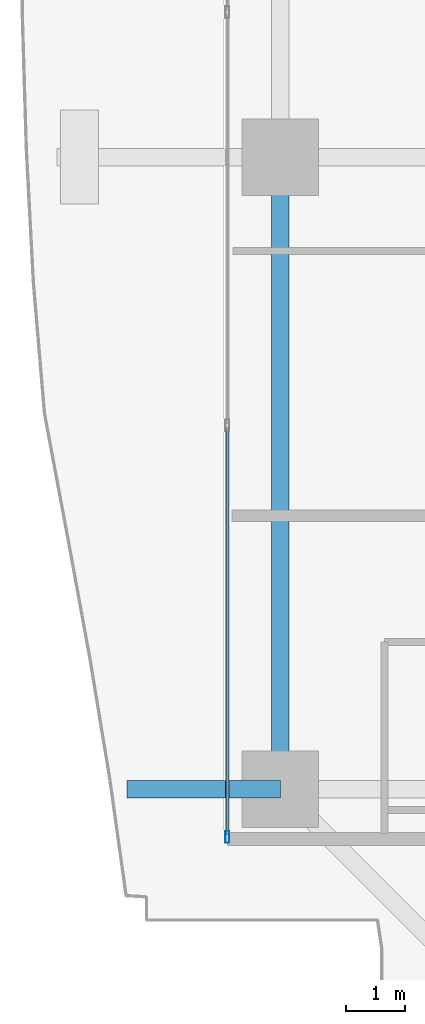
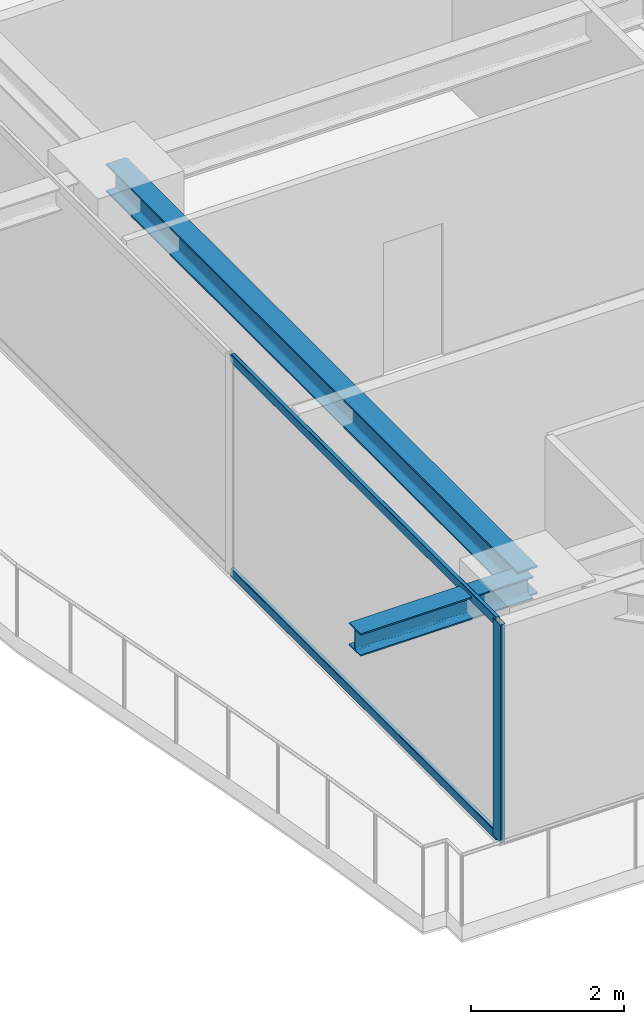
# One storey, part 3 of 37: 3 members, 2 beams, 1 element without a shape of its own.
"""IFC4 building model written with IfcOpenShell, lengths in metres."""

import ifcopenshell
import ifcopenshell.guid

model = None  # the IFC model being written
_history = None  # IfcOwnerHistory: only IFC2X3 demands one
_inside = {}  # id of a spatial element -> (the spatial element, [elements in it])
_under = {}  # id of a project, library or spatial element -> (it, [spatial elements below it])
_declared = {}  # id of a project -> (the project, [libraries it declares])
_typed = {}  # id of a type object -> (the type object, [elements of that type])
_made_of = {}  # id of a material, layer set ... -> (it, [elements and type objects made of it])


def new_model(schema):
    """Start an empty IFC model of exactly this schema.

    Asked for "IFC4X3", IfcOpenShell would pick the latest addendum, in which some entities
    have other attributes; the version numbers below select the first issue.
    IFC2X3 requires an IfcOwnerHistory on every rooted entity: one is made here for all.
    """
    global model, _history
    if schema == "IFC4X3":
        model = ifcopenshell.file(schema_version=(4, 3, 0, 0))
    else:
        model = ifcopenshell.file(schema=schema)
    _inside.clear()
    _under.clear()
    _declared.clear()
    _typed.clear()
    _made_of.clear()
    _history = None
    if model.schema == "IFC2X3":
        org = make("IfcOrganization", Name="unknown")
        user = make(
            "IfcPersonAndOrganization",
            ThePerson=make("IfcPerson", FamilyName="unknown"),
            TheOrganization=org,
        )
        app = make(
            "IfcApplication",
            ApplicationDeveloper=org,
            Version="unknown",
            ApplicationFullName="unknown",
            ApplicationIdentifier="unknown",
        )
        _history = make(
            "IfcOwnerHistory",
            OwningUser=user,
            OwningApplication=app,
            ChangeAction="ADDED",
            CreationDate=0,
        )
    return model


def make(cls, **values):
    """One entity of the class cls with the attributes given. An attribute that is None is left unset."""
    return model.create_entity(
        cls, **{name: value for name, value in values.items() if value is not None}
    )


def rooted(cls, **values):
    """An entity with a GlobalId (a new one), such as an element, a storey or a relation."""
    return make(cls, GlobalId=ifcopenshell.guid.new(), OwnerHistory=_history, **values)


def si_unit(unit_type, name, prefix=None):
    """IfcSIUnit, for example si_unit("LENGTHUNIT", "METRE", prefix="MILLI")."""
    return make("IfcSIUnit", UnitType=unit_type, Prefix=prefix, Name=name)


def assignment(units):
    """IfcUnitAssignment: the units of a project."""
    return None if units is None else make("IfcUnitAssignment", Units=units)


def point(xyz):
    """IfcCartesianPoint."""
    return None if xyz is None else make("IfcCartesianPoint", Coordinates=xyz)


def direction(xyz):
    """IfcDirection."""
    return None if xyz is None else make("IfcDirection", DirectionRatios=xyz)


def frame(location, z_axis=None, x_axis=None):
    """IfcAxis2Placement3D, a coordinate frame: its origin and axes. An axis left out is left unset."""
    return make(
        "IfcAxis2Placement3D",
        Location=point(location),
        Axis=direction(z_axis),
        RefDirection=direction(x_axis),
    )


def frame_2d(location, x_axis=None):
    """IfcAxis2Placement2D, a coordinate frame in the plane: its origin and x axis."""
    return make(
        "IfcAxis2Placement2D", Location=point(location), RefDirection=direction(x_axis)
    )


def origin():
    """The frame at (0, 0, 0) with its axes left unset."""
    return frame((0.0, 0.0, 0.0))


def origin_2d():
    """The frame at (0, 0) in the plane with its x axis left unset."""
    return frame_2d((0.0, 0.0))


def place(relative_to, where):
    """IfcLocalPlacement: puts the frame where relative to a parent placement (None: the world)."""
    return make(
        "IfcLocalPlacement", PlacementRelTo=relative_to, RelativePlacement=where
    )


def context(
    kind, dimensions, precision=None, world=None, true_north=None, identifier=None
):
    """IfcGeometricRepresentationContext, for example the 3D "Model" context."""
    return make(
        "IfcGeometricRepresentationContext",
        ContextIdentifier=identifier,
        ContextType=kind,
        CoordinateSpaceDimension=dimensions,
        Precision=precision,
        WorldCoordinateSystem=world,
        TrueNorth=true_north,
    )


def subcontext(parent, identifier, kind, view, scale=None):
    """IfcGeometricRepresentationSubContext, for example "Body" below "Model"."""
    return make(
        "IfcGeometricRepresentationSubContext",
        ContextIdentifier=identifier,
        ContextType=kind,
        ParentContext=parent,
        TargetScale=scale,
        TargetView=view,
    )


def project(units=None, contexts=None):
    """IfcProject with its units and contexts."""
    return rooted(
        "IfcProject",
        Name="project",
        RepresentationContexts=contexts,
        UnitsInContext=assignment(units),
    )


def spatial(cls, under=None, at=None, **own):
    """A site, building, storey or space (cls), placed at a placement, below another one or the project."""
    s = rooted(cls, ObjectPlacement=at, **own)
    if under is not None:
        _under.setdefault(under.id(), (under, []))[1].append(s)
    return s


def profile(cls, at=None, kind="AREA", **sizes):
    """A parametric profile (cls). Its sizes go by their IFC names, for example OverallWidth=200.0."""
    return make(cls, ProfileType=kind, Position=at, **sizes)


def hollow_rectangle(**sizes):
    """IfcRectangleHollowProfileDef."""
    return profile("IfcRectangleHollowProfileDef", **sizes)


def i_section(**sizes):
    """IfcIShapeProfileDef."""
    return profile("IfcIShapeProfileDef", **sizes)


def extrude(swept, where, along, depth):
    """IfcExtrudedAreaSolid: the profile swept, set in the frame where, extruded along a direction by depth."""
    return make(
        "IfcExtrudedAreaSolid",
        SweptArea=swept,
        Position=where,
        ExtrudedDirection=direction(along),
        Depth=depth,
    )


def shape(context_of_items, identifier, shape_type, items):
    """IfcShapeRepresentation: the items that make up one representation, for example the "Body"."""
    return make(
        "IfcShapeRepresentation",
        ContextOfItems=context_of_items,
        RepresentationIdentifier=identifier,
        RepresentationType=shape_type,
        Items=items,
    )


def source(mapping_origin, context_of_items, identifier, shape_type, items):
    """IfcRepresentationMap: a shape defined once, which mapped items show again and again."""
    return make(
        "IfcRepresentationMap",
        MappingOrigin=mapping_origin,
        MappedRepresentation=shape(context_of_items, identifier, shape_type, items),
    )


def transform(
    local_origin,
    x_axis=None,
    y_axis=None,
    z_axis=None,
    scale=None,
    scale2=None,
    scale3=None,
    uniform=True,
):
    """IfcCartesianTransformationOperator3D, or its non-uniform kind. x_axis, y_axis, z_axis: its Axis1, 2, 3."""
    if uniform:
        return make(
            "IfcCartesianTransformationOperator3D",
            Axis1=direction(x_axis),
            Axis2=direction(y_axis),
            LocalOrigin=point(local_origin),
            Scale=scale,
            Axis3=direction(z_axis),
        )
    return make(
        "IfcCartesianTransformationOperator3DnonUniform",
        Axis1=direction(x_axis),
        Axis2=direction(y_axis),
        LocalOrigin=point(local_origin),
        Scale=scale,
        Axis3=direction(z_axis),
        Scale2=scale2,
        Scale3=scale3,
    )


def mapped(mapping_source, mapping_target):
    """IfcMappedItem: shows the shape of a source again, moved by a transform."""
    return make(
        "IfcMappedItem", MappingSource=mapping_source, MappingTarget=mapping_target
    )


def material(Name=None, Category=None):
    """IfcMaterial."""
    return make("IfcMaterial", Name=Name, Category=Category)


def layer(
    of_material, thickness, ventilated=None, Name=None, Category=None, Priority=None
):
    """IfcMaterialLayer: one layer of a wall or slab, of a material (None: an air gap)."""
    return make(
        "IfcMaterialLayer",
        Material=of_material,
        LayerThickness=thickness,
        IsVentilated=ventilated,
        Name=Name,
        Category=Category,
        Priority=Priority,
    )


def layer_set(layers, Name=None):
    """IfcMaterialLayerSet."""
    return make("IfcMaterialLayerSet", MaterialLayers=layers, LayerSetName=Name)


def material_profile(
    of_material, cross_section, Name=None, Category=None, Priority=None
):
    """IfcMaterialProfile: a cross section and its material."""
    return make(
        "IfcMaterialProfile",
        Name=Name,
        Material=of_material,
        Profile=cross_section,
        Priority=Priority,
        Category=Category,
    )


def profile_set(profiles, Name=None, composite=None):
    """IfcMaterialProfileSet."""
    return make(
        "IfcMaterialProfileSet",
        Name=Name,
        MaterialProfiles=profiles,
        CompositeProfile=composite,
    )


def made_of(thing, what):
    """Note that an element or type object is made of a material, layer set ...; save() writes the relation."""
    if what is not None:
        _made_of.setdefault(what.id(), (what, []))[1].append(thing)
    return thing


def type_object(cls, material=None, **own):
    """A type object (cls), such as IfcWallType, which elements share."""
    return made_of(rooted(cls, **own), material)


def element(
    cls,
    number,
    at=None,
    inside=None,
    cuts=None,
    type_object=None,
    material=None,
    context=None,
    identifier="Body",
    shape_type=None,
    held_by="IfcProductDefinitionShape",
    body=None,
    shapes=None,
    **own,
):
    """One element of the class cls, such as IfcWall. Its Tag is "e" and its number.

    at: its placement. inside: the storey or other place that contains it. cuts: it is an
    opening in that element (IfcRelVoidsElement). A single representation is given by context,
    identifier, shape_type and body (its items); several are given by shapes. held_by: the class
    of the entity that holds the representations. save() writes the other relations.
    """
    e = rooted(cls, Tag="e%d" % number, ObjectPlacement=at, **own)
    if body is not None:
        shapes = [shape(context, identifier, shape_type, body)]
    if shapes is not None:
        e.Representation = make(held_by, Representations=shapes)
    if inside is not None:
        _inside.setdefault(inside.id(), (inside, []))[1].append(e)
    if cuts is not None:
        rooted(
            "IfcRelVoidsElement", RelatingBuildingElement=cuts, RelatedOpeningElement=e
        )
    if type_object is not None:
        _typed.setdefault(type_object.id(), (type_object, []))[1].append(e)
    return made_of(e, material)


def aggregate(whole, parts):
    """IfcRelAggregates: a whole, such as a stair, and the parts it consists of."""
    return rooted("IfcRelAggregates", RelatingObject=whole, RelatedObjects=parts)


def save(model, path):
    """Write the relations noted so far, then the file.

    IfcRelAggregates (storeys below a building ...), IfcRelContainedInSpatialStructure (elements
    in a storey), IfcRelDefinesByType, IfcRelAssociatesMaterial and IfcRelDeclares: one each for
    every whole, place, type object, material and project.
    """
    for whole, parts in _under.values():
        aggregate(whole, parts)
    for where, things in _inside.values():
        rooted(
            "IfcRelContainedInSpatialStructure",
            RelatedElements=things,
            RelatingStructure=where,
        )
    for kind, things in _typed.values():
        rooted("IfcRelDefinesByType", RelatedObjects=things, RelatingType=kind)
    for what, things in _made_of.values():
        rooted("IfcRelAssociatesMaterial", RelatedObjects=things, RelatingMaterial=what)
    for by, libraries in _declared.values():
        rooted("IfcRelDeclares", RelatingContext=by, RelatedDefinitions=libraries)
    model.write(path)


model = new_model("IFC4")

# Units and contexts
model_context = context("Model", 3, precision=1e-05, world=origin(), true_north=direction((0.0, 1.0)))
body_context = subcontext(model_context, "Body", "Model", "MODEL_VIEW")
ifc_project = project(units=[si_unit("LENGTHUNIT", "METRE"), si_unit("AREAUNIT", "SQUARE_METRE"), si_unit("VOLUMEUNIT", "CUBIC_METRE"), si_unit("PLANEANGLEUNIT", "RADIAN"), si_unit("MASSUNIT", "GRAM", prefix="KILO")], contexts=[model_context])

# Site, building, storey
site_placement = place(None, origin())
site = spatial("IfcSite", under=ifc_project, at=site_placement, CompositionType="ELEMENT")
building_placement = place(site_placement, origin())
building = spatial("IfcBuilding", under=site, at=building_placement, Name="Serunith Strait Residences", CompositionType="ELEMENT")
storey_placement = place(building_placement, frame((0.0, 0.0, 153.89990234375)))
storey = spatial("IfcBuildingStorey", under=building, at=storey_placement, Name="L38", CompositionType="ELEMENT", Elevation=153.89990234375)

# Beams
ifc_material_1 = material(Name="Steel S355J2", Category="steel")
ifc_material_profile_1 = material_profile(ifc_material_1, i_section(OverallWidth=0.300048828125, OverallDepth=0.449951171875, WebThickness=0.013916015625, FlangeThickness=0.02587890625, FilletRadius=0.027099609375, at=origin_2d()), Name="HEB 450")
ifc_profile_set_1 = profile_set([ifc_material_profile_1], Name="Steel S355J2")
beam_type_1 = type_object("IfcBeamType", Name="BM-HEB450", PredefinedType="BEAM", material=ifc_profile_set_1)
shared_shape_1 = source(origin(), body_context, "Body", "SweptSolid", [
    extrude(i_section(OverallWidth=0.300048828125, OverallDepth=0.449951171875, WebThickness=0.013916015625, FlangeThickness=0.02587890625, FilletRadius=0.027099609375, at=origin_2d()), origin(), (0.0, 0.0, 1.0), 10.75),
])
beam_1_placement = place(storey_placement, frame((8.699951171875, 21.0, 3.26220703125), z_axis=(0.0, -1.0, 0.0), x_axis=(1.0, 0.0, 0.0)))
element("IfcBeam", 1, at=beam_1_placement, inside=storey, type_object=beam_type_1, Name="L38 Perimeter Ring Beam 15", PredefinedType="BEAM", context=body_context, shape_type="MappedRepresentation", body=[
    mapped(shared_shape_1, transform((0.0, 0.0, 0.0), scale=1.0)),
])
ifc_material_profile_2 = material_profile(ifc_material_1, i_section(OverallWidth=0.300048828125, OverallDepth=0.360107421875, WebThickness=0.012451171875, FlangeThickness=0.0224609375, FilletRadius=0.027099609375, at=origin_2d()), Name="HEB 360")
ifc_profile_set_2 = profile_set([ifc_material_profile_2], Name="Steel S355J2")
beam_type_2 = type_object("IfcBeamType", Name="BM-HEB360", PredefinedType="BEAM", material=ifc_profile_set_2)
shared_shape_2 = source(origin(), body_context, "Body", "SweptSolid", [
    extrude(i_section(OverallWidth=0.300048828125, OverallDepth=0.360107421875, WebThickness=0.012451171875, FlangeThickness=0.0224609375, FilletRadius=0.027099609375, at=origin_2d()), origin(), (0.0, 0.0, 1.0), 2.60693359375),
])
beam_2_placement = place(storey_placement, frame((8.699951171875, 10.25, 3.277099609375), z_axis=(-1.0, 0.0, 0.0), x_axis=(0.0, -1.0, 0.0)))
element("IfcBeam", 2, at=beam_2_placement, inside=storey, type_object=beam_type_2, Name="L39 Cantilevered Balcony Rib TC-W1", PredefinedType="BEAM", context=body_context, shape_type="MappedRepresentation", body=[
    mapped(shared_shape_2, transform((0.0, 0.0, 0.0), scale=1.0)),
])

# Curtain wall, members
ifc_material_2 = material(Name="Pale-Champagne Anodised Aluminium", Category="aluminium")
ifc_layer = layer(ifc_material_2, 0.199951171875, Name="Pale-Champagne Anodised Aluminium")
ifc_layer_set = layer_set([ifc_layer], Name="Pale-Champagne Anodised Aluminium")
curtain_wall_type = type_object("IfcCurtainWallType", Name="CW-SYS2", PredefinedType="NOTDEFINED", material=ifc_layer_set)
curtain_wall_placement = place(storey_placement, origin())
curtain_wall = element("IfcCurtainWall", 3, at=curtain_wall_placement, inside=storey, type_object=curtain_wall_type, Name="L38 W Unitised Fritted Curtain Wall", PredefinedType="NOTDEFINED")
ifc_material_profile_3 = material_profile(ifc_material_2, hollow_rectangle(XDim=0.070068359375, YDim=0.199951171875, WallThickness=0.00390625, InnerFilletRadius=0.006103515625, OuterFilletRadius=0.010009765625, at=origin_2d()), Name="ALU 200x70x4")
ifc_profile_set_3 = profile_set([ifc_material_profile_3], Name="Pale-Champagne Anodised Aluminium")
member_type_1 = type_object("IfcMemberType", Name="CW-SYS2-MULL", PredefinedType="MULLION", material=ifc_profile_set_3)
shared_shape_3 = source(origin(), body_context, "Body", "SweptSolid", [
    extrude(hollow_rectangle(XDim=0.070068359375, YDim=0.199951171875, WallThickness=0.00390625, InnerFilletRadius=0.006103515625, OuterFilletRadius=0.010009765625, at=origin_2d()), origin(), (0.0, 0.0, 1.0), 3.47509765625),
])
member_1_placement = place(storey_placement, frame((7.800048828125, 9.43505859375, 0.0), z_axis=(0.0, 0.0, 1.0), x_axis=(1.0, 0.0, 0.0)))
member_1 = element("IfcMember", 4, at=member_1_placement, type_object=member_type_1, Name="CW-2 mullion 4", PredefinedType="MULLION", context=body_context, shape_type="MappedRepresentation", body=[
    mapped(shared_shape_3, transform((0.0, 0.0, 0.0), scale=1.0)),
])
ifc_material_profile_4 = material_profile(ifc_material_2, hollow_rectangle(XDim=0.06005859375, YDim=0.139892578125, WallThickness=0.00341796875, InnerFilletRadius=0.00537109375, OuterFilletRadius=0.0087890625, at=origin_2d()), Name="ALU 140x60x3.5")
ifc_profile_set_4 = profile_set([ifc_material_profile_4], Name="Pale-Champagne Anodised Aluminium")
member_type_2 = type_object("IfcMemberType", Name="CW-SYS2-TRAN", PredefinedType="USERDEFINED", material=ifc_profile_set_4)
shared_shape_4 = source(origin(), body_context, "Body", "SweptSolid", [
    extrude(hollow_rectangle(XDim=0.06005859375, YDim=0.139892578125, WallThickness=0.00341796875, InnerFilletRadius=0.00537109375, OuterFilletRadius=0.0087890625, at=origin_2d()), origin(), (0.0, 0.0, 1.0), 6.928466796875),
])
member_2_placement = place(storey_placement, frame((7.800048828125, 16.3984375, 0.030029296875), z_axis=(0.0, -1.0, 0.0), x_axis=(1.0, 0.0, 0.0)))
member_2 = element("IfcMember", 5, at=member_2_placement, type_object=member_type_2, Name="CW-2 transom 3.1", ObjectType="TRANSOM", PredefinedType="USERDEFINED", context=body_context, shape_type="MappedRepresentation", body=[
    mapped(shared_shape_4, transform((0.0, 0.0, 0.0), scale=1.0)),
])
member_3_placement = place(storey_placement, frame((7.800048828125, 16.3984375, 3.445068359375), z_axis=(0.0, -1.0, 0.0), x_axis=(1.0, 0.0, 0.0)))
member_3 = element("IfcMember", 6, at=member_3_placement, type_object=member_type_2, Name="CW-2 transom 3.2", ObjectType="TRANSOM", PredefinedType="USERDEFINED", context=body_context, shape_type="MappedRepresentation", body=[
    mapped(shared_shape_4, transform((0.0, 0.0, 0.0), scale=1.0)),
])
aggregate(curtain_wall, [member_1, member_2, member_3])

save(model, "model.ifc")
